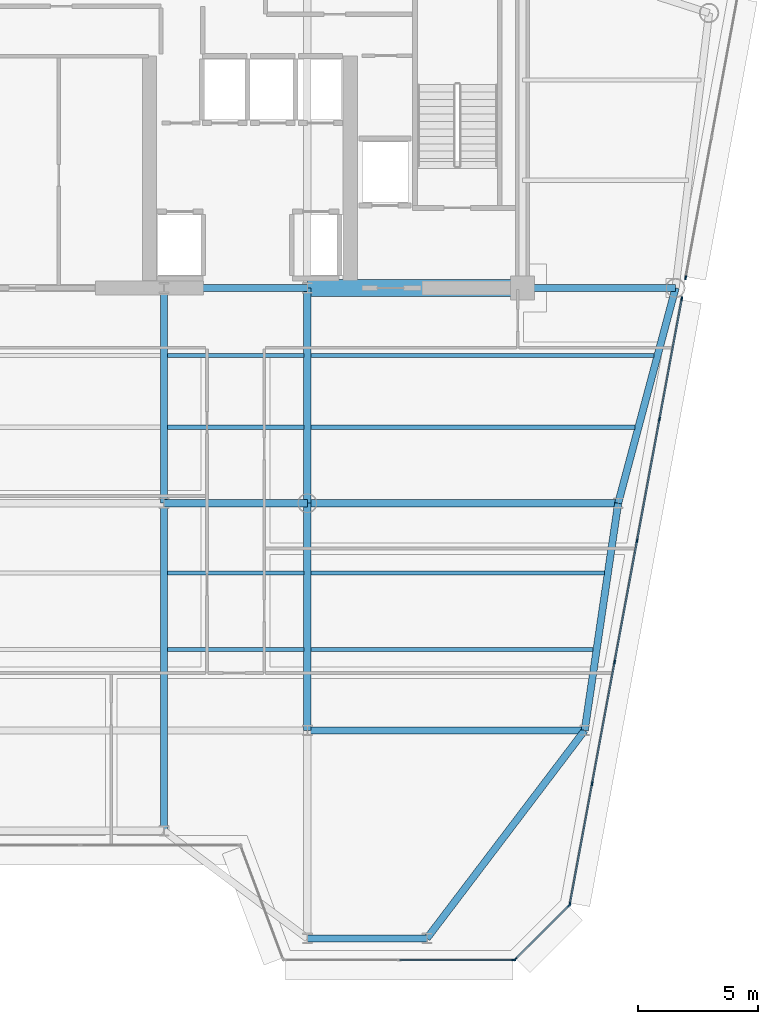
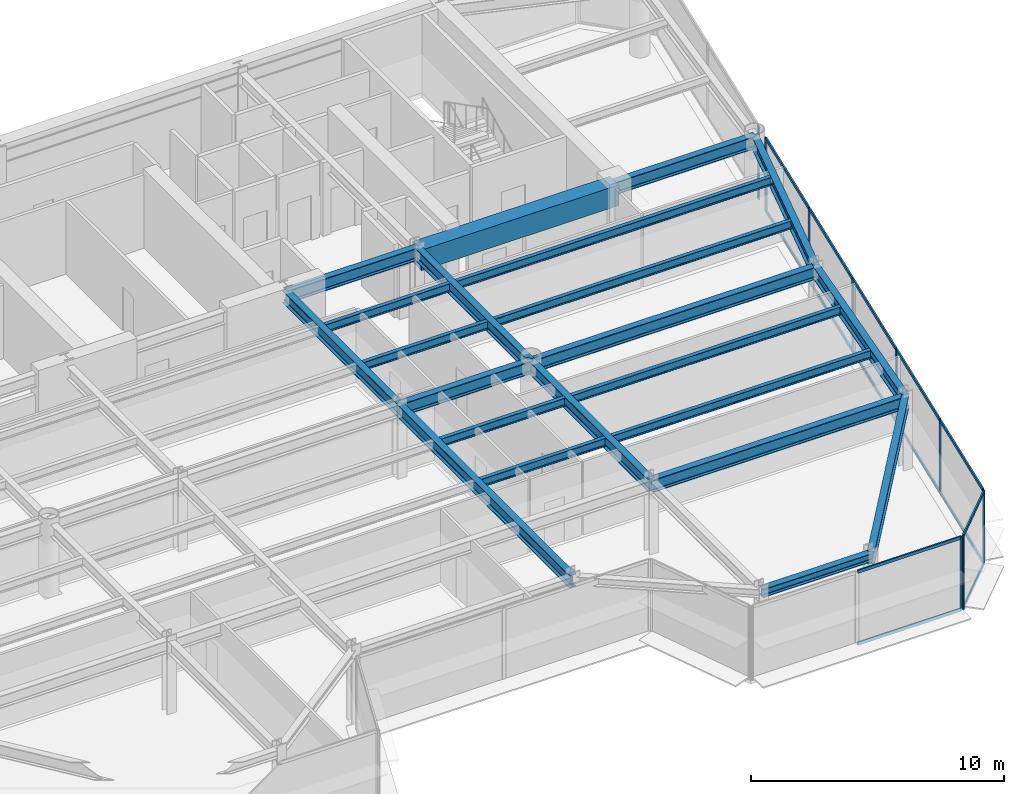
# One storey, part 6 of 17: 24 members, 22 beams, 4 elements without a shape of their own.
"""IFC4 building model written with IfcOpenShell, lengths in metres."""

from ifc_helpers import new_model, si_unit, direction, frame, origin, origin_2d, place, context, subcontext, project, spatial, rectangle, i_section, extrude, source, transform, mapped, material, layer, layer_set, material_profile, profile_set, type_object, element, aggregate, save


model = new_model("IFC4")

# Units and contexts
model_context = context("Model", 3, precision=1e-05, world=origin(), true_north=direction((0.0, 1.0)))
body_context = subcontext(model_context, "Body", "Model", "MODEL_VIEW")
ifc_project = project(units=[si_unit("LENGTHUNIT", "METRE"), si_unit("AREAUNIT", "SQUARE_METRE"), si_unit("VOLUMEUNIT", "CUBIC_METRE"), si_unit("PLANEANGLEUNIT", "RADIAN"), si_unit("MASSUNIT", "GRAM", prefix="KILO")], contexts=[model_context])

# Site, building, storey
site_placement = place(None, origin())
site = spatial("IfcSite", under=ifc_project, at=site_placement, CompositionType="ELEMENT")
building_placement = place(site_placement, origin())
building = spatial("IfcBuilding", under=site, at=building_placement, Name="Vaeldorn Concourse Tower", CompositionType="ELEMENT")
storey_placement = place(building_placement, frame((0.0, 0.0, 214.60009765625)))
storey = spatial("IfcBuildingStorey", under=building, at=storey_placement, Name="L55", CompositionType="ELEMENT", Elevation=214.60009765625)

# Beams
ifc_material_1 = material(Name="Concrete C50/60", Category="concrete")
ifc_material_profile_1 = material_profile(ifc_material_1, rectangle(XDim=0.699951171875, YDim=1.0, at=origin_2d()), Name="RC 700x1000")
ifc_profile_set_1 = profile_set([ifc_material_profile_1], Name="Concrete C50/60")
beam_type_1 = type_object("IfcBeamType", Name="BM-CB-RC700", PredefinedType="BEAM", material=ifc_profile_set_1)
shared_shape_1 = source(origin(), body_context, "Body", "SweptSolid", [
    extrude(rectangle(XDim=0.699951171875, YDim=1.0, at=origin_2d()), origin(), (0.0, 0.0, 1.0), 9.0),
])
beam_1_placement = place(storey_placement, frame((45.0, 36.5, 3.039794921875), z_axis=(1.0, 0.0, 0.0), x_axis=(0.0, 1.0, 0.0)))
element("IfcBeam", 1, at=beam_1_placement, inside=storey, type_object=beam_type_1, Name="Core Coupling Beam L55-2", PredefinedType="BEAM", context=body_context, shape_type="MappedRepresentation", body=[
    mapped(shared_shape_1, transform((0.0, 0.0, 0.0), scale=1.0)),
])
ifc_material_2 = material(Name="Steel S355", Category="steel")
ifc_material_profile_2 = material_profile(ifc_material_2, i_section(OverallWidth=0.300048828125, OverallDepth=0.60009765625, WebThickness=0.015380859375, FlangeThickness=0.030029296875, FilletRadius=0.027099609375, at=origin_2d()), Name="HEB 600")
ifc_profile_set_2 = profile_set([ifc_material_profile_2], Name="Steel S355")
beam_type_2 = type_object("IfcBeamType", Name="BM-PG-HEB600", PredefinedType="BEAM", material=ifc_profile_set_2)
shared_shape_2 = source(origin(), body_context, "Body", "SweptSolid", [
    extrude(i_section(OverallWidth=0.300048828125, OverallDepth=0.60009765625, WebThickness=0.015380859375, FlangeThickness=0.030029296875, FilletRadius=0.027099609375, at=origin_2d()), origin(), (0.0, 0.0, 1.0), 6.0),
])
for number, where, z_axis, x_axis, name in (
    (2, (39.0, 36.5, 3.239990234375), (1.0, 0.0, 0.0), (0.0, 1.0, 0.0), "Beam BM-L55-C-FC4-C-FC5"),
    (3, (39.0, 27.5, 3.239990234375), (1.0, 0.0, 0.0), (0.0, 1.0, 0.0), "Beam BM-L55-C-TW3-C-TW4"),
):
    element("IfcBeam", number, at=place(storey_placement, frame(where, z_axis=z_axis, x_axis=x_axis)), inside=storey, type_object=beam_type_2, Name=name, PredefinedType="BEAM", context=body_context, shape_type="MappedRepresentation", body=[
        mapped(shared_shape_2, transform((0.0, 0.0, 0.0), scale=1.0)),
    ])
shared_shape_3 = source(origin(), body_context, "Body", "SweptSolid", [
    extrude(i_section(OverallWidth=0.300048828125, OverallDepth=0.60009765625, WebThickness=0.015380859375, FlangeThickness=0.030029296875, FilletRadius=0.027099609375, at=origin_2d()), origin(), (0.0, 0.0, 1.0), 9.0),
])
for number, where, z_axis, x_axis, name in (
    (4, (39.0, 27.5, 3.239990234375), (0.0, 1.0, 0.0), (-1.0, 0.0, 0.0), "Beam BM-L55-C-TW3-C-FC4"),
    (5, (45.0, 27.5, 3.239990234375), (0.0, 1.0, 0.0), (-1.0, 0.0, 0.0), "Beam BM-L55-C-TW4-C-FC5"),
):
    element("IfcBeam", number, at=place(storey_placement, frame(where, z_axis=z_axis, x_axis=x_axis)), inside=storey, type_object=beam_type_2, Name=name, PredefinedType="BEAM", context=body_context, shape_type="MappedRepresentation", body=[
        mapped(shared_shape_3, transform((0.0, 0.0, 0.0), scale=1.0)),
    ])
shared_shape_4 = source(origin(), body_context, "Body", "SweptSolid", [
    extrude(i_section(OverallWidth=0.300048828125, OverallDepth=0.60009765625, WebThickness=0.015380859375, FlangeThickness=0.030029296875, FilletRadius=0.027099609375, at=origin_2d()), origin(), (0.0, 0.0, 1.0), 6.39990234375),
])
beam_2_placement = place(storey_placement, frame((54.0, 36.5, 3.239990234375), z_axis=(1.0, 0.0, 0.0), x_axis=(0.0, 1.0, 0.0)))
element("IfcBeam", 6, at=beam_2_placement, inside=storey, type_object=beam_type_2, Name="Beam BM-L55-C-FC6-C-NE2", PredefinedType="BEAM", context=body_context, shape_type="MappedRepresentation", body=[
    mapped(shared_shape_4, transform((0.0, 0.0, 0.0), scale=1.0)),
])
shared_shape_5 = source(origin(), body_context, "Body", "SweptSolid", [
    extrude(i_section(OverallWidth=0.300048828125, OverallDepth=0.60009765625, WebThickness=0.015380859375, FlangeThickness=0.030029296875, FilletRadius=0.027099609375, at=origin_2d()), origin(), (0.0, 0.0, 1.0), 9.314453125),
])
beam_3_placement = place(storey_placement, frame((60.39990234375, 36.5, 3.239990234375), z_axis=(-0.257652862255, -0.966237549763, 0.0), x_axis=(0.966237549763, -0.257652862255, 0.0)))
element("IfcBeam", 7, at=beam_3_placement, inside=storey, type_object=beam_type_2, Name="Beam BM-L55-C-NE2-C-FLE1", PredefinedType="BEAM", context=body_context, shape_type="MappedRepresentation", body=[
    mapped(shared_shape_5, transform((0.0, 0.0, 0.0), scale=1.0)),
])
shared_shape_6 = source(origin(), body_context, "Body", "SweptSolid", [
    extrude(i_section(OverallWidth=0.300048828125, OverallDepth=0.60009765625, WebThickness=0.015380859375, FlangeThickness=0.030029296875, FilletRadius=0.027099609375, at=origin_2d()), origin(), (0.0, 0.0, 1.0), 13.0),
])
beam_4_placement = place(storey_placement, frame((45.0, 27.5, 3.239990234375), z_axis=(1.0, 0.0, 0.0), x_axis=(0.0, 1.0, 0.0)))
element("IfcBeam", 8, at=beam_4_placement, inside=storey, type_object=beam_type_2, Name="Beam BM-L55-C-TW4-C-FLE1", PredefinedType="BEAM", context=body_context, shape_type="MappedRepresentation", body=[
    mapped(shared_shape_6, transform((0.0, 0.0, 0.0), scale=1.0)),
])
shared_shape_7 = source(origin(), body_context, "Body", "SweptSolid", [
    extrude(i_section(OverallWidth=0.300048828125, OverallDepth=0.60009765625, WebThickness=0.015380859375, FlangeThickness=0.030029296875, FilletRadius=0.027099609375, at=origin_2d()), origin(), (0.0, 0.0, 1.0), 9.6025390625),
])
beam_5_placement = place(storey_placement, frame((58.0, 27.5, 3.239990234375), z_axis=(-0.145783835977, -0.989316467652, 0.0), x_axis=(0.989316467652, -0.145783835977, 0.0)))
element("IfcBeam", 9, at=beam_5_placement, inside=storey, type_object=beam_type_2, Name="Beam BM-L55-C-FLE1-C-FLE2", PredefinedType="BEAM", context=body_context, shape_type="MappedRepresentation", body=[
    mapped(shared_shape_7, transform((0.0, 0.0, 0.0), scale=1.0)),
])
shared_shape_8 = source(origin(), body_context, "Body", "SweptSolid", [
    extrude(i_section(OverallWidth=0.300048828125, OverallDepth=0.60009765625, WebThickness=0.015380859375, FlangeThickness=0.030029296875, FilletRadius=0.027099609375, at=origin_2d()), origin(), (0.0, 0.0, 1.0), 11.60009765625),
])
beam_6_placement = place(storey_placement, frame((45.0, 18.0, 3.239990234375), z_axis=(1.0, 0.0, 0.0), x_axis=(0.0, 1.0, 0.0)))
element("IfcBeam", 10, at=beam_6_placement, inside=storey, type_object=beam_type_2, Name="Beam BM-L55-C-TW6-C-FLE2", PredefinedType="BEAM", context=body_context, shape_type="MappedRepresentation", body=[
    mapped(shared_shape_8, transform((0.0, 0.0, 0.0), scale=1.0)),
])
shared_shape_9 = source(origin(), body_context, "Body", "SweptSolid", [
    extrude(i_section(OverallWidth=0.300048828125, OverallDepth=0.60009765625, WebThickness=0.015380859375, FlangeThickness=0.030029296875, FilletRadius=0.027099609375, at=origin_2d()), origin(), (0.0, 0.0, 1.0), 9.5),
])
beam_7_placement = place(storey_placement, frame((45.0, 18.0, 3.239990234375), z_axis=(0.0, 1.0, 0.0), x_axis=(-1.0, 0.0, 0.0)))
element("IfcBeam", 11, at=beam_7_placement, inside=storey, type_object=beam_type_2, Name="Beam BM-L55-C-TW6-C-TW4", PredefinedType="BEAM", context=body_context, shape_type="MappedRepresentation", body=[
    mapped(shared_shape_9, transform((0.0, 0.0, 0.0), scale=1.0)),
])
ifc_material_profile_3 = material_profile(ifc_material_2, i_section(OverallWidth=0.300048828125, OverallDepth=0.39990234375, WebThickness=0.013427734375, FlangeThickness=0.02392578125, FilletRadius=0.027099609375, at=origin_2d()), Name="HEB 400")
ifc_profile_set_3 = profile_set([ifc_material_profile_3], Name="Steel S355")
beam_type_3 = type_object("IfcBeamType", Name="BM-SP-HEB400", PredefinedType="SPANDREL", material=ifc_profile_set_3)
shared_shape_10 = source(origin(), body_context, "Body", "SweptSolid", [
    extrude(i_section(OverallWidth=0.300048828125, OverallDepth=0.39990234375, WebThickness=0.013427734375, FlangeThickness=0.02392578125, FilletRadius=0.027099609375, at=origin_2d()), origin(), (0.0, 0.0, 1.0), 5.0),
])
beam_8_placement = place(storey_placement, frame((45.0, 9.300048828125, 3.33984375), z_axis=(1.0, 0.0, 0.0), x_axis=(0.0, 1.0, 0.0)))
element("IfcBeam", 12, at=beam_8_placement, inside=storey, type_object=beam_type_3, Name="Beam BM-L55-C-SF5-C-SF6", PredefinedType="SPANDREL", context=body_context, shape_type="MappedRepresentation", body=[
    mapped(shared_shape_10, transform((0.0, 0.0, 0.0), scale=1.0)),
])
ifc_material_profile_4 = material_profile(ifc_material_2, i_section(OverallWidth=0.179931640625, OverallDepth=0.39990234375, WebThickness=0.008544921875, FlangeThickness=0.013427734375, FilletRadius=0.02099609375, at=origin_2d()), Name="IPE 400")
ifc_profile_set_4 = profile_set([ifc_material_profile_4], Name="Steel S355")
beam_type_4 = type_object("IfcBeamType", Name="BM-JS-IPE400", PredefinedType="JOIST", material=ifc_profile_set_4)
shared_shape_11 = source(origin(), body_context, "Body", "SweptSolid", [
    extrude(i_section(OverallWidth=0.179931640625, OverallDepth=0.39990234375, WebThickness=0.008544921875, FlangeThickness=0.013427734375, FilletRadius=0.02099609375, at=origin_2d()), origin(), (0.0, 0.0, 1.0), 11.798095703125),
])
beam_9_placement = place(storey_placement, frame((45.14990234375, 21.3798828125, 3.33984375), z_axis=(1.0, 0.0, 0.0), x_axis=(0.0, 1.0, 0.0)))
element("IfcBeam", 13, at=beam_9_placement, inside=storey, type_object=beam_type_4, Name="Beam JS-L55-E1-213", PredefinedType="JOIST", context=body_context, shape_type="MappedRepresentation", body=[
    mapped(shared_shape_11, transform((0.0, 0.0, 0.0), scale=1.0)),
])
shared_shape_12 = source(origin(), body_context, "Body", "SweptSolid", [
    extrude(i_section(OverallWidth=0.179931640625, OverallDepth=0.39990234375, WebThickness=0.008544921875, FlangeThickness=0.013427734375, FilletRadius=0.02099609375, at=origin_2d()), origin(), (0.0, 0.0, 1.0), 5.7001953125),
])
for number, where, z_axis, x_axis, name in (
    (14, (39.14990234375, 21.3798828125, 3.33984375), (1.0, 0.0, 0.0), (0.0, 1.0, 0.0), "Beam JS-L55-E2-213"),
    (15, (39.14990234375, 24.580078125, 3.33984375), (1.0, 0.0, 0.0), (0.0, 1.0, 0.0), "Beam JS-L55-E2-245"),
    (16, (39.14990234375, 30.679931640625, 3.33984375), (1.0, 0.0, 0.0), (0.0, 1.0, 0.0), "Beam JS-L55-E2-306"),
    (17, (39.14990234375, 33.679931640625, 3.33984375), (1.0, 0.0, 0.0), (0.0, 1.0, 0.0), "Beam JS-L55-E2-336"),
):
    element("IfcBeam", number, at=place(storey_placement, frame(where, z_axis=z_axis, x_axis=x_axis)), inside=storey, type_object=beam_type_4, Name=name, PredefinedType="JOIST", context=body_context, shape_type="MappedRepresentation", body=[
        mapped(shared_shape_12, transform((0.0, 0.0, 0.0), scale=1.0)),
    ])
shared_shape_13 = source(origin(), body_context, "Body", "SweptSolid", [
    extrude(i_section(OverallWidth=0.179931640625, OverallDepth=0.39990234375, WebThickness=0.008544921875, FlangeThickness=0.013427734375, FilletRadius=0.02099609375, at=origin_2d()), origin(), (0.0, 0.0, 1.0), 12.269775390625),
])
beam_10_placement = place(storey_placement, frame((45.14990234375, 24.580078125, 3.33984375), z_axis=(1.0, 0.0, 0.0), x_axis=(0.0, 1.0, 0.0)))
element("IfcBeam", 18, at=beam_10_placement, inside=storey, type_object=beam_type_4, Name="Beam JS-L55-E1-245", PredefinedType="JOIST", context=body_context, shape_type="MappedRepresentation", body=[
    mapped(shared_shape_13, transform((0.0, 0.0, 0.0), scale=1.0)),
])
shared_shape_14 = source(origin(), body_context, "Body", "SweptSolid", [
    extrude(i_section(OverallWidth=0.179931640625, OverallDepth=0.39990234375, WebThickness=0.008544921875, FlangeThickness=0.013427734375, FilletRadius=0.02099609375, at=origin_2d()), origin(), (0.0, 0.0, 1.0), 13.548095703125),
])
beam_11_placement = place(storey_placement, frame((45.14990234375, 30.679931640625, 3.33984375), z_axis=(1.0, 0.0, 0.0), x_axis=(0.0, 1.0, 0.0)))
element("IfcBeam", 19, at=beam_11_placement, inside=storey, type_object=beam_type_4, Name="Beam JS-L55-E1-306", PredefinedType="JOIST", context=body_context, shape_type="MappedRepresentation", body=[
    mapped(shared_shape_14, transform((0.0, 0.0, 0.0), scale=1.0)),
])
shared_shape_15 = source(origin(), body_context, "Body", "SweptSolid", [
    extrude(i_section(OverallWidth=0.179931640625, OverallDepth=0.39990234375, WebThickness=0.008544921875, FlangeThickness=0.013427734375, FilletRadius=0.02099609375, at=origin_2d()), origin(), (0.0, 0.0, 1.0), 14.34814453125),
])
beam_12_placement = place(storey_placement, frame((45.14990234375, 33.679931640625, 3.33984375), z_axis=(1.0, 0.0, 0.0), x_axis=(0.0, 1.0, 0.0)))
element("IfcBeam", 20, at=beam_12_placement, inside=storey, type_object=beam_type_4, Name="Beam JS-L55-E1-336", PredefinedType="JOIST", context=body_context, shape_type="MappedRepresentation", body=[
    mapped(shared_shape_15, transform((0.0, 0.0, 0.0), scale=1.0)),
])
shared_shape_16 = source(origin(), body_context, "Body", "SweptSolid", [
    extrude(i_section(OverallWidth=0.300048828125, OverallDepth=0.60009765625, WebThickness=0.015380859375, FlangeThickness=0.030029296875, FilletRadius=0.027099609375, at=origin_2d()), origin(), (0.0, 0.0, 1.0), 10.920166015625),
])
beam_13_placement = place(storey_placement, frame((50.0, 9.300048828125, 3.239990234375), z_axis=(0.604394310451, 0.796685331542, 0.0), x_axis=(-0.796685331542, 0.604394310451, 0.0)))
element("IfcBeam", 21, at=beam_13_placement, inside=storey, type_object=beam_type_2, Name="Beam BM-L55-C-SF6-C-FLE2", PredefinedType="BEAM", context=body_context, shape_type="MappedRepresentation", body=[
    mapped(shared_shape_16, transform((0.0, 0.0, 0.0), scale=1.0)),
])
shared_shape_17 = source(origin(), body_context, "Body", "SweptSolid", [
    extrude(i_section(OverallWidth=0.300048828125, OverallDepth=0.60009765625, WebThickness=0.015380859375, FlangeThickness=0.030029296875, FilletRadius=0.027099609375, at=origin_2d()), origin(), (0.0, 0.0, 1.0), 13.699951171875),
])
beam_14_placement = place(storey_placement, frame((39.0, 13.800048828125, 3.239990234375), z_axis=(0.0, 1.0, 0.0), x_axis=(-1.0, 0.0, 0.0)))
element("IfcBeam", 22, at=beam_14_placement, inside=storey, type_object=beam_type_2, Name="Beam BM-L55-C-SF4-C-TW3", PredefinedType="BEAM", context=body_context, shape_type="MappedRepresentation", body=[
    mapped(shared_shape_17, transform((0.0, 0.0, 0.0), scale=1.0)),
])

# Curtain wall, members
ifc_material_3 = material(Name="Anodised Bronze Aluminium", Category="aluminium")
ifc_layer = layer(ifc_material_3, 0.18994140625)
ifc_layer_set = layer_set([ifc_layer], Name="Anodised Bronze Aluminium")
curtain_wall_type = type_object("IfcCurtainWallType", Name="CW-SYS-03", PredefinedType="NOTDEFINED", material=ifc_layer_set)
curtain_wall_1_placement = place(storey_placement, origin())
curtain_wall_1 = element("IfcCurtainWall", 23, at=curtain_wall_1_placement, inside=storey, type_object=curtain_wall_type, Name="Unitised Curtain Wall CW-L55-E06-1", PredefinedType="NOTDEFINED")
ifc_material_profile_5 = material_profile(ifc_material_3, rectangle(XDim=0.06494140625, YDim=0.14990234375, at=origin_2d()), Name="CWT 65x150")
ifc_profile_set_5 = profile_set([ifc_material_profile_5], Name="Anodised Bronze Aluminium")
member_type_1 = type_object("IfcMemberType", Name="CWT-BRONZE-150", PredefinedType="USERDEFINED", material=ifc_profile_set_5)
shared_shape_18 = source(origin(), body_context, "Body", "SweptSolid", [
    extrude(rectangle(XDim=0.06494140625, YDim=0.14990234375, at=origin_2d()), origin(), (0.0, 0.0, 1.0), 3.12255859375),
])
member_1_placement = place(storey_placement, frame((53.717041015625, 8.446044921875, 0.032470703125), z_axis=(0.707106781187, 0.707106781187, 0.0), x_axis=(-0.707106781187, 0.707106781187, 0.0)))
member_1 = element("IfcMember", 24, at=member_1_placement, type_object=member_type_1, Name="CW-03 transom 1.1", ObjectType="TRANSOM", PredefinedType="USERDEFINED", context=body_context, shape_type="MappedRepresentation", body=[
    mapped(shared_shape_18, transform((0.0, 0.0, 0.0), scale=1.0)),
])
member_2_placement = place(storey_placement, frame((53.717041015625, 8.446044921875, 3.50732421875), z_axis=(0.707106781187, 0.707106781187, 0.0), x_axis=(-0.707106781187, 0.707106781187, 0.0)))
member_2 = element("IfcMember", 25, at=member_2_placement, type_object=member_type_1, Name="CW-03 transom 1.2", ObjectType="TRANSOM", PredefinedType="USERDEFINED", context=body_context, shape_type="MappedRepresentation", body=[
    mapped(shared_shape_18, transform((0.0, 0.0, 0.0), scale=1.0)),
])

curtain_wall_2_placement = place(storey_placement, origin())
curtain_wall_2 = element("IfcCurtainWall", 26, at=curtain_wall_2_placement, inside=storey, type_object=curtain_wall_type, Name="Unitised Curtain Wall CW-L55-E07-1", PredefinedType="NOTDEFINED")
shared_shape_19 = source(origin(), body_context, "Body", "SweptSolid", [
    extrude(rectangle(XDim=0.06494140625, YDim=0.14990234375, at=origin_2d()), origin(), (0.0, 0.0, 1.0), 5.065185546875),
])
member_3_placement = place(storey_placement, frame((55.98291015625, 10.763916015625, 0.032470703125), z_axis=(0.181857972654, 0.983324807875, 0.0), x_axis=(-0.983324807875, 0.181857972654, 0.0)))
member_3 = element("IfcMember", 27, at=member_3_placement, type_object=member_type_1, Name="CW-03 transom 1.1", ObjectType="TRANSOM", PredefinedType="USERDEFINED", context=body_context, shape_type="MappedRepresentation", body=[
    mapped(shared_shape_19, transform((0.0, 0.0, 0.0), scale=1.0)),
])
member_4_placement = place(storey_placement, frame((55.98291015625, 10.763916015625, 3.50732421875), z_axis=(0.181857972654, 0.983324807875, 0.0), x_axis=(-0.983324807875, 0.181857972654, 0.0)))
member_4 = element("IfcMember", 28, at=member_4_placement, type_object=member_type_1, Name="CW-03 transom 1.2", ObjectType="TRANSOM", PredefinedType="USERDEFINED", context=body_context, shape_type="MappedRepresentation", body=[
    mapped(shared_shape_19, transform((0.0, 0.0, 0.0), scale=1.0)),
])
member_5_placement = place(storey_placement, frame((59.733154296875, 31.038818359375, 0.032470703125), z_axis=(0.181904577794, 0.983316187489, 0.0), x_axis=(-0.983316187489, 0.181904577794, 0.0)))
member_5 = element("IfcMember", 29, at=member_5_placement, type_object=member_type_1, Name="CW-03 transom 5.1", ObjectType="TRANSOM", PredefinedType="USERDEFINED", context=body_context, shape_type="MappedRepresentation", body=[
    mapped(shared_shape_19, transform((0.0, 0.0, 0.0), scale=1.0)),
])
member_6_placement = place(storey_placement, frame((59.733154296875, 31.038818359375, 3.50732421875), z_axis=(0.181904577794, 0.983316187489, 0.0), x_axis=(-0.983316187489, 0.181904577794, 0.0)))
member_6 = element("IfcMember", 30, at=member_6_placement, type_object=member_type_1, Name="CW-03 transom 5.2", ObjectType="TRANSOM", PredefinedType="USERDEFINED", context=body_context, shape_type="MappedRepresentation", body=[
    mapped(shared_shape_19, transform((0.0, 0.0, 0.0), scale=1.0)),
])
shared_shape_20 = source(origin(), body_context, "Body", "SweptSolid", [
    extrude(rectangle(XDim=0.06494140625, YDim=0.14990234375, at=origin_2d()), origin(), (0.0, 0.0, 1.0), 5.097900390625),
])
member_7_placement = place(storey_placement, frame((56.916015625, 15.80859375, 0.032470703125), z_axis=(0.181885185048, 0.983319774773, 0.0), x_axis=(-0.983319774773, 0.181885185048, 0.0)))
member_7 = element("IfcMember", 31, at=member_7_placement, type_object=member_type_1, Name="CW-03 transom 2.1", ObjectType="TRANSOM", PredefinedType="USERDEFINED", context=body_context, shape_type="MappedRepresentation", body=[
    mapped(shared_shape_20, transform((0.0, 0.0, 0.0), scale=1.0)),
])
member_8_placement = place(storey_placement, frame((56.916015625, 15.80859375, 3.50732421875), z_axis=(0.181885185048, 0.983319774773, 0.0), x_axis=(-0.983319774773, 0.181885185048, 0.0)))
member_8 = element("IfcMember", 32, at=member_8_placement, type_object=member_type_1, Name="CW-03 transom 2.2", ObjectType="TRANSOM", PredefinedType="USERDEFINED", context=body_context, shape_type="MappedRepresentation", body=[
    mapped(shared_shape_20, transform((0.0, 0.0, 0.0), scale=1.0)),
])
member_9_placement = place(storey_placement, frame((57.85498046875, 20.88525390625, 0.032470703125), z_axis=(0.181885185048, 0.983319774773, 0.0), x_axis=(-0.983319774773, 0.181885185048, 0.0)))
member_9 = element("IfcMember", 33, at=member_9_placement, type_object=member_type_1, Name="CW-03 transom 3.1", ObjectType="TRANSOM", PredefinedType="USERDEFINED", context=body_context, shape_type="MappedRepresentation", body=[
    mapped(shared_shape_20, transform((0.0, 0.0, 0.0), scale=1.0)),
])
member_10_placement = place(storey_placement, frame((57.85498046875, 20.88525390625, 3.50732421875), z_axis=(0.181885185048, 0.983319774773, 0.0), x_axis=(-0.983319774773, 0.181885185048, 0.0)))
member_10 = element("IfcMember", 34, at=member_10_placement, type_object=member_type_1, Name="CW-03 transom 3.2", ObjectType="TRANSOM", PredefinedType="USERDEFINED", context=body_context, shape_type="MappedRepresentation", body=[
    mapped(shared_shape_20, transform((0.0, 0.0, 0.0), scale=1.0)),
])
shared_shape_21 = source(origin(), body_context, "Body", "SweptSolid", [
    extrude(rectangle(XDim=0.06494140625, YDim=0.14990234375, at=origin_2d()), origin(), (0.0, 0.0, 1.0), 5.09765625),
])
member_11_placement = place(storey_placement, frame((58.794189453125, 25.962158203125, 0.032470703125), z_axis=(0.181893750584, 0.983318190363, 0.0), x_axis=(-0.983318190363, 0.181893750584, 0.0)))
member_11 = element("IfcMember", 35, at=member_11_placement, type_object=member_type_1, Name="CW-03 transom 4.1", ObjectType="TRANSOM", PredefinedType="USERDEFINED", context=body_context, shape_type="MappedRepresentation", body=[
    mapped(shared_shape_21, transform((0.0, 0.0, 0.0), scale=1.0)),
])
member_12_placement = place(storey_placement, frame((58.794189453125, 25.962158203125, 3.50732421875), z_axis=(0.181893750584, 0.983318190363, 0.0), x_axis=(-0.983318190363, 0.181893750584, 0.0)))
member_12 = element("IfcMember", 36, at=member_12_placement, type_object=member_type_1, Name="CW-03 transom 4.2", ObjectType="TRANSOM", PredefinedType="USERDEFINED", context=body_context, shape_type="MappedRepresentation", body=[
    mapped(shared_shape_21, transform((0.0, 0.0, 0.0), scale=1.0)),
])

curtain_wall_3_placement = place(storey_placement, origin())
curtain_wall_3 = element("IfcCurtainWall", 37, at=curtain_wall_3_placement, inside=storey, type_object=curtain_wall_type, Name="Unitised Curtain Wall CW-L55-E05-1", PredefinedType="NOTDEFINED")
shared_shape_22 = source(origin(), body_context, "Body", "SweptSolid", [
    extrude(rectangle(XDim=0.06494140625, YDim=0.14990234375, at=origin_2d()), origin(), (0.0, 0.0, 1.0), 4.738037109375),
])
member_13_placement = place(storey_placement, frame((48.867919921875, 8.39990234375, 0.032470703125), z_axis=(1.0, 0.0, 0.0), x_axis=(0.0, 1.0, 0.0)))
member_13 = element("IfcMember", 38, at=member_13_placement, type_object=member_type_1, Name="CW-03 transom 2.1", ObjectType="TRANSOM", PredefinedType="USERDEFINED", context=body_context, shape_type="MappedRepresentation", body=[
    mapped(shared_shape_22, transform((0.0, 0.0, 0.0), scale=1.0)),
])
member_14_placement = place(storey_placement, frame((48.867919921875, 8.39990234375, 3.50732421875), z_axis=(1.0, 0.0, 0.0), x_axis=(0.0, 1.0, 0.0)))
member_14 = element("IfcMember", 39, at=member_14_placement, type_object=member_type_1, Name="CW-03 transom 2.2", ObjectType="TRANSOM", PredefinedType="USERDEFINED", context=body_context, shape_type="MappedRepresentation", body=[
    mapped(shared_shape_22, transform((0.0, 0.0, 0.0), scale=1.0)),
])
ifc_material_profile_6 = material_profile(ifc_material_3, rectangle(XDim=0.06494140625, YDim=0.169921875, at=origin_2d()), Name="CWM 65x170")
ifc_profile_set_6 = profile_set([ifc_material_profile_6], Name="Anodised Bronze Aluminium")
member_type_2 = type_object("IfcMemberType", Name="CWM-BRONZE-170", PredefinedType="MULLION", material=ifc_profile_set_6)
shared_shape_23 = source(origin(), body_context, "Body", "SweptSolid", [
    extrude(rectangle(XDim=0.06494140625, YDim=0.169921875, at=origin_2d()), origin(), (0.0, 0.0, 1.0), 3.539794921875),
])
member_15_placement = place(storey_placement, frame((53.638427734375, 8.39990234375, 0.0), z_axis=(0.0, 0.0, 1.0), x_axis=(0.0, 1.0, 0.0)))
member_15 = element("IfcMember", 40, at=member_15_placement, type_object=member_type_2, Name="CW-03 mullion 3", PredefinedType="MULLION", context=body_context, shape_type="MappedRepresentation", body=[
    mapped(shared_shape_23, transform((0.0, 0.0, 0.0), scale=1.0)),
])
aggregate(curtain_wall_3, [member_15, member_13, member_14])

# Member
member_16_placement = place(storey_placement, frame((53.694091796875, 8.423095703125, 0.0), z_axis=(0.0, 0.0, 1.0), x_axis=(-0.707106781187, 0.707106781187, 0.0)))
member_16 = element("IfcMember", 41, at=member_16_placement, type_object=member_type_2, Name="CW-03 mullion 1", PredefinedType="MULLION", context=body_context, shape_type="MappedRepresentation", body=[
    mapped(shared_shape_23, transform((0.0, 0.0, 0.0), scale=1.0)),
])

member_17_placement = place(storey_placement, frame((55.947998046875, 10.677001953125, 0.0), z_axis=(0.0, 0.0, 1.0), x_axis=(-0.707106781187, 0.707106781187, 0.0)))
member_17 = element("IfcMember", 42, at=member_17_placement, type_object=member_type_2, Name="CW-03 mullion 2", PredefinedType="MULLION", context=body_context, shape_type="MappedRepresentation", body=[
    mapped(shared_shape_23, transform((0.0, 0.0, 0.0), scale=1.0)),
])

aggregate(curtain_wall_1, [member_16, member_17, member_1, member_2])

member_18_placement = place(storey_placement, frame((55.976806640625, 10.73193359375, 0.0), z_axis=(0.0, 0.0, 1.0), x_axis=(-0.983319079021, 0.181888946432, 0.0)))
member_18 = element("IfcMember", 43, at=member_18_placement, type_object=member_type_2, Name="CW-03 mullion 1", PredefinedType="MULLION", context=body_context, shape_type="MappedRepresentation", body=[
    mapped(shared_shape_23, transform((0.0, 0.0, 0.0), scale=1.0)),
])

member_19_placement = place(storey_placement, frame((56.91015625, 15.776611328125, 0.0), z_axis=(0.0, 0.0, 1.0), x_axis=(-0.983319079021, 0.181888946432, 0.0)))
member_19 = element("IfcMember", 44, at=member_19_placement, type_object=member_type_2, Name="CW-03 mullion 2", PredefinedType="MULLION", context=body_context, shape_type="MappedRepresentation", body=[
    mapped(shared_shape_23, transform((0.0, 0.0, 0.0), scale=1.0)),
])

member_20_placement = place(storey_placement, frame((57.84912109375, 20.853515625, 0.0), z_axis=(0.0, 0.0, 1.0), x_axis=(-0.983319079021, 0.181888946432, 0.0)))
member_20 = element("IfcMember", 45, at=member_20_placement, type_object=member_type_2, Name="CW-03 mullion 3", PredefinedType="MULLION", context=body_context, shape_type="MappedRepresentation", body=[
    mapped(shared_shape_23, transform((0.0, 0.0, 0.0), scale=1.0)),
])

member_21_placement = place(storey_placement, frame((58.7880859375, 25.93017578125, 0.0), z_axis=(0.0, 0.0, 1.0), x_axis=(-0.983319079021, 0.181888946432, 0.0)))
member_21 = element("IfcMember", 46, at=member_21_placement, type_object=member_type_2, Name="CW-03 mullion 4", PredefinedType="MULLION", context=body_context, shape_type="MappedRepresentation", body=[
    mapped(shared_shape_23, transform((0.0, 0.0, 0.0), scale=1.0)),
])

member_22_placement = place(storey_placement, frame((59.727294921875, 31.0068359375, 0.0), z_axis=(0.0, 0.0, 1.0), x_axis=(-0.983319079021, 0.181888946432, 0.0)))
member_22 = element("IfcMember", 47, at=member_22_placement, type_object=member_type_2, Name="CW-03 mullion 5", PredefinedType="MULLION", context=body_context, shape_type="MappedRepresentation", body=[
    mapped(shared_shape_23, transform((0.0, 0.0, 0.0), scale=1.0)),
])

member_23_placement = place(storey_placement, frame((60.660400390625, 36.051513671875, 0.0), z_axis=(0.0, 0.0, 1.0), x_axis=(-0.983319079021, 0.181888946432, 0.0)))
member_23 = element("IfcMember", 48, at=member_23_placement, type_object=member_type_2, Name="CW-03 mullion 6", PredefinedType="MULLION", context=body_context, shape_type="MappedRepresentation", body=[
    mapped(shared_shape_23, transform((0.0, 0.0, 0.0), scale=1.0)),
])

aggregate(curtain_wall_2, [member_18, member_19, member_20, member_21, member_22, member_23, member_3, member_4, member_7, member_8, member_9, member_10, member_11, member_12, member_5, member_6])

# Curtain wall, member
curtain_wall_4_placement = place(storey_placement, origin())
curtain_wall_4 = element("IfcCurtainWall", 49, at=curtain_wall_4_placement, inside=storey, type_object=curtain_wall_type, Name="Unitised Curtain Wall CW-L55-E07-2", PredefinedType="NOTDEFINED")
member_24_placement = place(storey_placement, frame((60.822509765625, 36.927490234375, 0.0), z_axis=(0.0, 0.0, 1.0), x_axis=(-0.983319270992, 0.181887908602, 0.0)))
member_24 = element("IfcMember", 50, at=member_24_placement, type_object=member_type_2, Name="CW-03 mullion 1", PredefinedType="MULLION", context=body_context, shape_type="MappedRepresentation", body=[
    mapped(shared_shape_23, transform((0.0, 0.0, 0.0), scale=1.0)),
])
aggregate(curtain_wall_4, [member_24])

save(model, "model.ifc")
